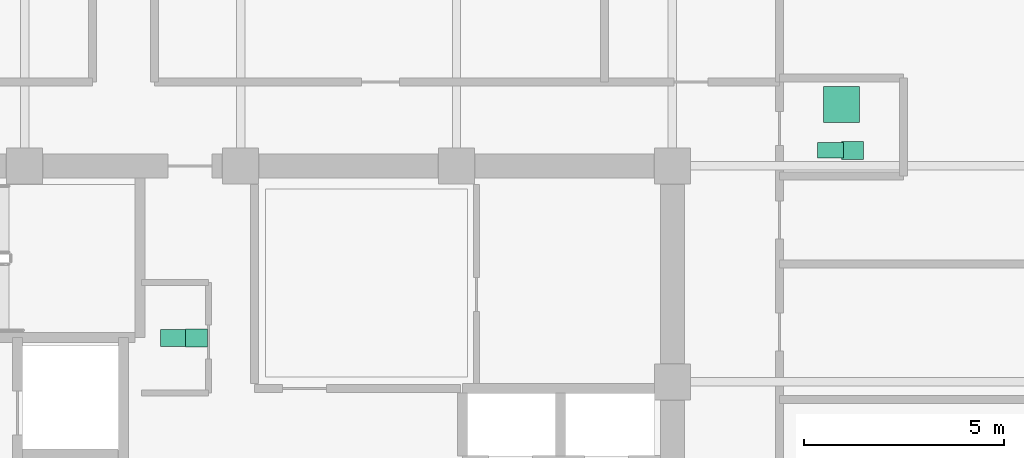
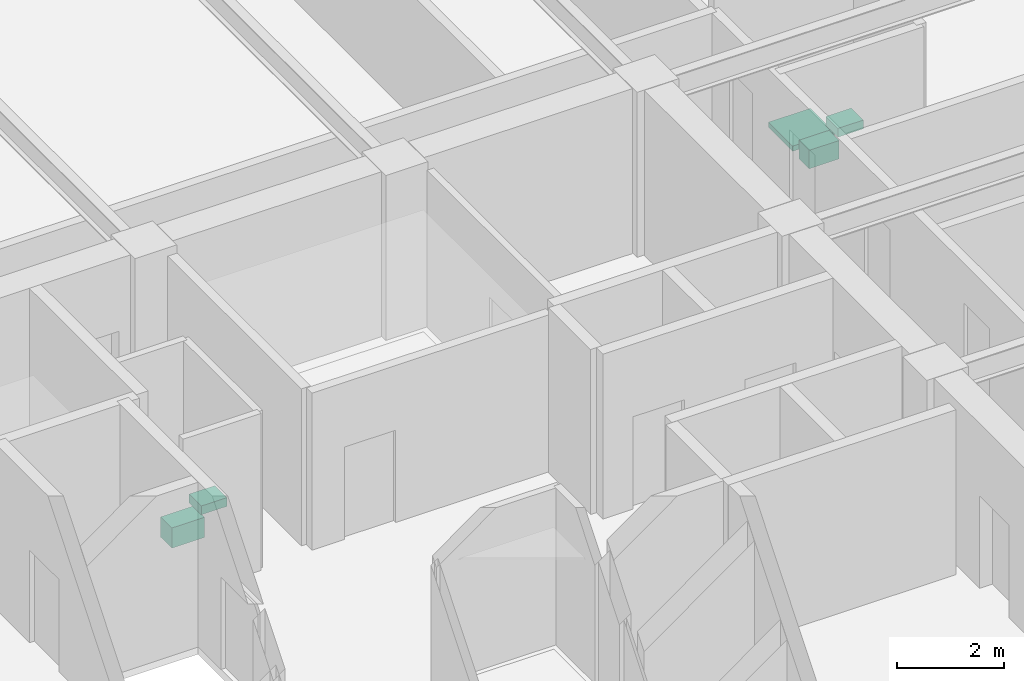
# One storey, part 32 of 32: 5 sanitary terminals.
"""IFC4 building model written with IfcOpenShell, lengths in metres."""

from ifc_helpers import new_model, si_unit, direction, frame, origin, origin_2d, place, context, subcontext, project, spatial, rectangle, extrude, material, type_object, element, save


model = new_model("IFC4")

# Units and contexts
model_context = context("Model", 3, precision=1e-05, world=origin(), true_north=direction((0.0, 1.0)))
body_context = subcontext(model_context, "Body", "Model", "MODEL_VIEW")
ifc_project = project(units=[si_unit("LENGTHUNIT", "METRE"), si_unit("AREAUNIT", "SQUARE_METRE"), si_unit("VOLUMEUNIT", "CUBIC_METRE"), si_unit("PLANEANGLEUNIT", "RADIAN"), si_unit("MASSUNIT", "GRAM", prefix="KILO")], contexts=[model_context])

# Site, building, storey
site_placement = place(None, origin())
site = spatial("IfcSite", under=ifc_project, at=site_placement, CompositionType="ELEMENT")
building_placement = place(site_placement, origin())
building = spatial("IfcBuilding", under=site, at=building_placement, Name="Surkhivell Harbour Commons", CompositionType="ELEMENT")
storey_placement = place(building_placement, frame((0.0, 0.0, 204.75)))
storey = spatial("IfcBuildingStorey", under=building, at=storey_placement, Name="L53", CompositionType="ELEMENT", Elevation=204.75)

# Sanitary terminals
ifc_material_1 = material(Name="Vitreous china washbasin", Category="other")
sanitary_terminal_type_1 = type_object("IfcSanitaryTerminalType", Name="SAN-BSN", PredefinedType="WASHHANDBASIN", material=ifc_material_1)
for number, where, z_axis, x_axis, name in (
    (1, (-1.10009765625, 6.5, 0.72021484375), (0.0, 0.0, 1.0), (1.0, 0.0, 0.0), "L53 Core Accessible WC Washbasin"),
    (2, (15.300048828125, 11.18994140625, 0.72021484375), (0.0, 0.0, 1.0), (1.0, 0.0, 0.0), "L53 East Communal Bathroom WC Washbasin"),
):
    element("IfcSanitaryTerminal", number, at=place(storey_placement, frame(where, z_axis=z_axis, x_axis=x_axis)), inside=storey, type_object=sanitary_terminal_type_1, Name=name, PredefinedType="WASHHANDBASIN", context=body_context, shape_type="SweptSolid", body=[
        extrude(rectangle(XDim=0.550048828125, YDim=0.449951171875, at=origin_2d()), origin(), (0.0, 0.0, 1.0), 0.199951171875),
    ])
ifc_material_2 = material(Name="Glazed porcelain shower tray", Category="other")
sanitary_terminal_type_2 = type_object("IfcSanitaryTerminalType", Name="SAN-SHW", PredefinedType="SHOWER", material=ifc_material_2)
sanitary_terminal_1_placement = place(storey_placement, frame((15.030029296875, 12.330078125, 0.0), z_axis=(0.0, 0.0, 1.0), x_axis=(1.0, 0.0, 0.0)))
element("IfcSanitaryTerminal", 3, at=sanitary_terminal_1_placement, inside=storey, type_object=sanitary_terminal_type_2, Name="L53 East Communal Shower Tray", PredefinedType="SHOWER", context=body_context, shape_type="SweptSolid", body=[
    extrude(rectangle(XDim=0.89990234375, YDim=0.89990234375, at=origin_2d()), origin(), (0.0, 0.0, 1.0), 0.1201171875),
])
ifc_material_3 = material(Name="Vitreous china sanitaryware", Category="other")
sanitary_terminal_type_3 = type_object("IfcSanitaryTerminalType", Name="SAN-WC-ACC", PredefinedType="TOILETPAN", material=ifc_material_3)
sanitary_terminal_2_placement = place(storey_placement, frame((-1.64990234375, 6.5, 0.169921875), z_axis=(0.0, 0.0, 1.0), x_axis=(1.0, 0.0, 0.0)))
element("IfcSanitaryTerminal", 4, at=sanitary_terminal_2_placement, inside=storey, type_object=sanitary_terminal_type_3, Name="L53 Core Accessible WC", PredefinedType="TOILETPAN", context=body_context, shape_type="SweptSolid", body=[
    extrude(rectangle(XDim=0.699951171875, YDim=0.419921875, at=origin_2d()), origin(), (0.0, 0.0, 1.0), 0.4599609375),
])
sanitary_terminal_type_4 = type_object("IfcSanitaryTerminalType", Name="SAN-WC-STD", PredefinedType="TOILETPAN", material=ifc_material_3)
sanitary_terminal_3_placement = place(storey_placement, frame((14.75, 11.18994140625, 0.18994140625), z_axis=(0.0, 0.0, 1.0), x_axis=(1.0, 0.0, 0.0)))
element("IfcSanitaryTerminal", 5, at=sanitary_terminal_3_placement, inside=storey, type_object=sanitary_terminal_type_4, Name="L53 East Communal Bathroom WC", PredefinedType="TOILETPAN", context=body_context, shape_type="SweptSolid", body=[
    extrude(rectangle(XDim=0.64990234375, YDim=0.3798828125, at=origin_2d()), origin(), (0.0, 0.0, 1.0), 0.419921875),
])

save(model, "model.ifc")
